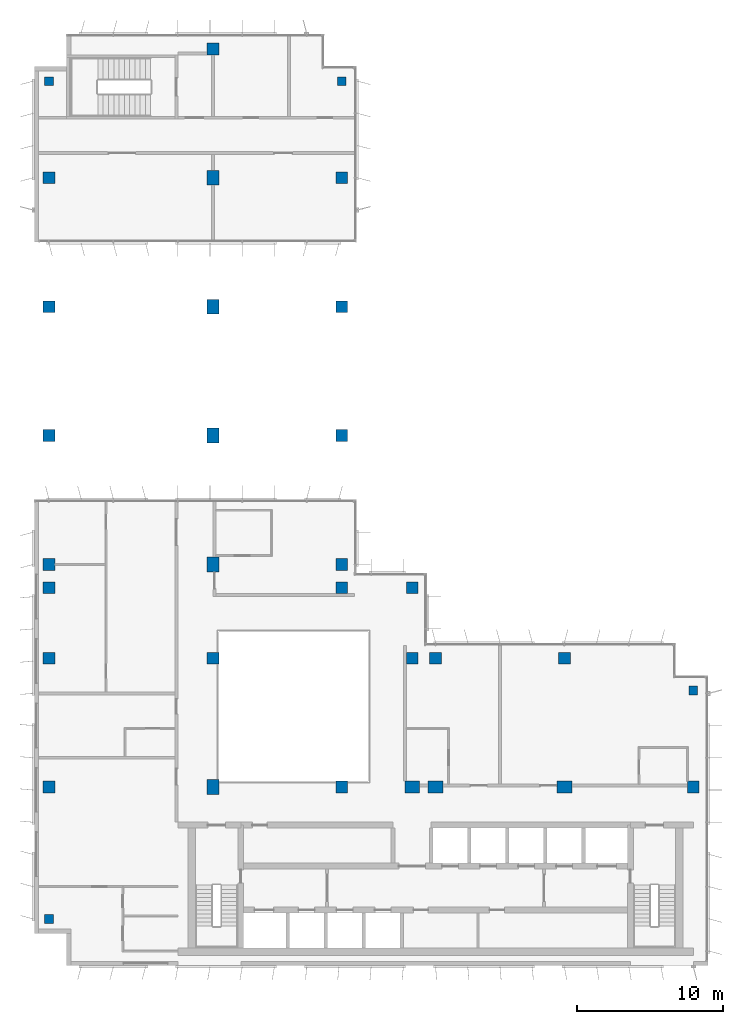
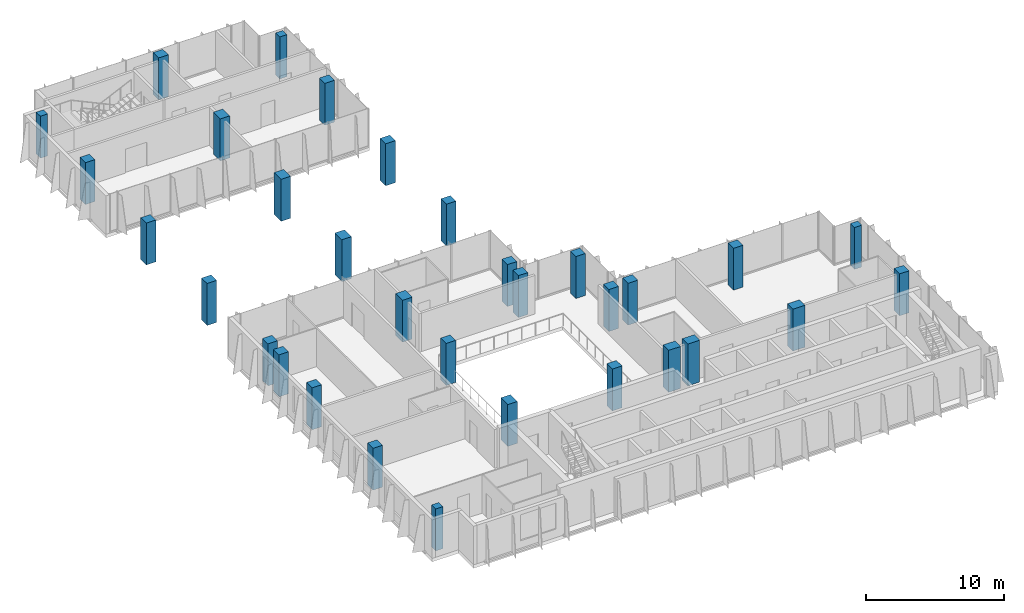
# One storey, part 1 of 14: 32 columns.
"""IFC4 building model written with IfcOpenShell, lengths in metres."""

from ifc_helpers import new_model, si_unit, direction, frame, origin, origin_2d, place, context, subcontext, project, spatial, rectangle, extrude, material, material_profile, profile_set, type_object, element, save


model = new_model("IFC4")

# Units and contexts
model_context = context("Model", 3, precision=1e-05, world=origin(), true_north=direction((0.0, 1.0)))
body_context = subcontext(model_context, "Body", "Model", "MODEL_VIEW")
ifc_project = project(units=[si_unit("LENGTHUNIT", "METRE"), si_unit("AREAUNIT", "SQUARE_METRE"), si_unit("VOLUMEUNIT", "CUBIC_METRE"), si_unit("PLANEANGLEUNIT", "RADIAN"), si_unit("MASSUNIT", "GRAM", prefix="KILO")], contexts=[model_context])

# Site, building, storey
site_placement = place(None, origin())
site = spatial("IfcSite", under=ifc_project, at=site_placement, CompositionType="ELEMENT")
building_placement = place(site_placement, origin())
building = spatial("IfcBuilding", under=site, at=building_placement, Name="Kemantara Hotel Tower", CompositionType="ELEMENT")
storey_placement = place(building_placement, frame((0.0, 0.0, 248.699951171875)))
storey = spatial("IfcBuildingStorey", under=building, at=storey_placement, Name="L62", CompositionType="ELEMENT", Elevation=248.699951171875)

# Columns
ifc_material = material(Name="Concrete fc 60 MPa", Category="concrete")
ifc_material_profile_1 = material_profile(ifc_material, rectangle(XDim=1.0, YDim=0.800048828125, at=origin_2d()), Name="RC 1000X800")
ifc_profile_set_1 = profile_set([ifc_material_profile_1], Name="Concrete fc 60 MPa")
column_type_1 = type_object("IfcColumnType", Name="RC COLUMN 1000X800 FC60", PredefinedType="COLUMN", material=ifc_profile_set_1)
for number, where, z_axis, x_axis, name in (
    (1, (12.199951171875, 12.199951171875, 0.0), (0.0, 0.0, 1.0), (0.0, 1.0, 0.0), "COLUMN 2A/BA L62"),
    (2, (12.199951171875, 27.39990234375, 0.0), (0.0, 0.0, 1.0), (0.0, 1.0, 0.0), "COLUMN 2A/D L62"),
    (3, (12.199951171875, 36.199951171875, 0.0), (0.0, 0.0, 1.0), (0.0, 1.0, 0.0), "COLUMN 2A/E L62"),
    (4, (12.199951171875, 45.0, 0.0), (0.0, 0.0, 1.0), (0.0, 1.0, 0.0), "COLUMN 2A/F L62"),
    (5, (12.199951171875, 53.800048828125, 0.0), (0.0, 0.0, 1.0), (0.0, 1.0, 0.0), "COLUMN 2A/G L62"),
    (6, (25.800048828125, 12.199951171875, 0.0), (0.0, 0.0, 1.0), (1.0, 0.0, 0.0), "COLUMN 3A/BA L62"),
    (7, (27.39990234375, 12.199951171875, 0.0), (0.0, 0.0, 1.0), (1.0, 0.0, 0.0), "COLUMN 4/BA L62"),
    (8, (36.199951171875, 12.199951171875, 0.0), (0.0, 0.0, 1.0), (1.0, 0.0, 0.0), "COLUMN 5/BA L62"),
):
    element("IfcColumn", number, at=place(storey_placement, frame(where, z_axis=z_axis, x_axis=x_axis)), inside=storey, type_object=column_type_1, Name=name, PredefinedType="COLUMN", context=body_context, shape_type="SweptSolid", body=[
        extrude(rectangle(XDim=1.0, YDim=0.800048828125, at=origin_2d()), origin(), (0.0, 0.0, 1.0), 3.699951171875),
    ])
ifc_material_profile_2 = material_profile(ifc_material, rectangle(XDim=0.60009765625, YDim=0.60009765625, at=origin_2d()), Name="RC 600X600")
ifc_profile_set_2 = profile_set([ifc_material_profile_2], Name="Concrete fc 60 MPa")
column_type_2 = type_object("IfcColumnType", Name="RC COLUMN 600X600 FC60", PredefinedType="COLUMN", material=ifc_profile_set_2)
for number, where, z_axis, x_axis, name in (
    (9, (1.0, 3.199951171875, 0.0), (0.0, 0.0, 1.0), (1.0, 0.0, 0.0), "COLUMN notch corner L62"),
    (10, (1.0, 60.39990234375, 0.0), (0.0, 0.0, 1.0), (1.0, 0.0, 0.0), "COLUMN notch corner L62"),
    (11, (21.0, 60.39990234375, 0.0), (0.0, 0.0, 1.0), (1.0, 0.0, 0.0), "COLUMN notch corner L62"),
    (12, (45.0, 18.800048828125, 0.0), (0.0, 0.0, 1.0), (1.0, 0.0, 0.0), "COLUMN notch corner L62"),
):
    element("IfcColumn", number, at=place(storey_placement, frame(where, z_axis=z_axis, x_axis=x_axis)), inside=storey, type_object=column_type_2, Name=name, PredefinedType="COLUMN", context=body_context, shape_type="SweptSolid", body=[
        extrude(rectangle(XDim=0.60009765625, YDim=0.60009765625, at=origin_2d()), origin(), (0.0, 0.0, 1.0), 3.699951171875),
    ])
ifc_material_profile_3 = material_profile(ifc_material, rectangle(XDim=0.800048828125, YDim=0.800048828125, at=origin_2d()), Name="RC 800X800")
ifc_profile_set_3 = profile_set([ifc_material_profile_3], Name="Concrete fc 60 MPa")
column_type_3 = type_object("IfcColumnType", Name="RC COLUMN 800X800 FC60", PredefinedType="COLUMN", material=ifc_profile_set_3)
for number, where, z_axis, x_axis, name in (
    (13, (1.0, 12.199951171875, 0.0), (0.0, 0.0, 1.0), (1.0, 0.0, 0.0), "COLUMN 1/BA L62"),
    (14, (1.0, 21.0, 0.0), (0.0, 0.0, 1.0), (1.0, 0.0, 0.0), "COLUMN 1/C L62"),
    (15, (1.0, 25.800048828125, 0.0), (0.0, 0.0, 1.0), (1.0, 0.0, 0.0), "COLUMN 1/CA L62"),
    (16, (1.0, 27.39990234375, 0.0), (0.0, 0.0, 1.0), (1.0, 0.0, 0.0), "COLUMN 1/D L62"),
    (17, (1.0, 36.199951171875, 0.0), (0.0, 0.0, 1.0), (1.0, 0.0, 0.0), "COLUMN 1/E L62"),
    (18, (1.0, 45.0, 0.0), (0.0, 0.0, 1.0), (1.0, 0.0, 0.0), "COLUMN 1/F L62"),
    (19, (1.0, 53.800048828125, 0.0), (0.0, 0.0, 1.0), (1.0, 0.0, 0.0), "COLUMN 1/G L62"),
    (20, (12.199951171875, 21.0, 0.0), (0.0, 0.0, 1.0), (1.0, 0.0, 0.0), "COLUMN 2A/C L62"),
    (21, (12.199951171875, 62.60009765625, 0.0), (0.0, 0.0, 1.0), (1.0, 0.0, 0.0), "COLUMN 2A/H L62"),
    (22, (21.0, 12.199951171875, 0.0), (0.0, 0.0, 1.0), (1.0, 0.0, 0.0), "COLUMN 3/BA L62"),
    (23, (21.0, 25.800048828125, 0.0), (0.0, 0.0, 1.0), (1.0, 0.0, 0.0), "COLUMN 3/CA L62"),
    (24, (21.0, 27.39990234375, 0.0), (0.0, 0.0, 1.0), (1.0, 0.0, 0.0), "COLUMN 3/D L62"),
    (25, (21.0, 36.199951171875, 0.0), (0.0, 0.0, 1.0), (1.0, 0.0, 0.0), "COLUMN 3/E L62"),
    (26, (21.0, 45.0, 0.0), (0.0, 0.0, 1.0), (1.0, 0.0, 0.0), "COLUMN 3/F L62"),
    (27, (21.0, 53.800048828125, 0.0), (0.0, 0.0, 1.0), (1.0, 0.0, 0.0), "COLUMN 3/G L62"),
    (28, (25.800048828125, 21.0, 0.0), (0.0, 0.0, 1.0), (1.0, 0.0, 0.0), "COLUMN 3A/C L62"),
    (29, (25.800048828125, 25.800048828125, 0.0), (0.0, 0.0, 1.0), (1.0, 0.0, 0.0), "COLUMN 3A/CA L62"),
    (30, (27.39990234375, 21.0, 0.0), (0.0, 0.0, 1.0), (1.0, 0.0, 0.0), "COLUMN 4/C L62"),
    (31, (36.199951171875, 21.0, 0.0), (0.0, 0.0, 1.0), (1.0, 0.0, 0.0), "COLUMN 5/C L62"),
    (32, (45.0, 12.199951171875, 0.0), (0.0, 0.0, 1.0), (1.0, 0.0, 0.0), "COLUMN 6/BA L62"),
):
    element("IfcColumn", number, at=place(storey_placement, frame(where, z_axis=z_axis, x_axis=x_axis)), inside=storey, type_object=column_type_3, Name=name, PredefinedType="COLUMN", context=body_context, shape_type="SweptSolid", body=[
        extrude(rectangle(XDim=0.800048828125, YDim=0.800048828125, at=origin_2d()), origin(), (0.0, 0.0, 1.0), 3.699951171875),
    ])

save(model, "model.ifc")
